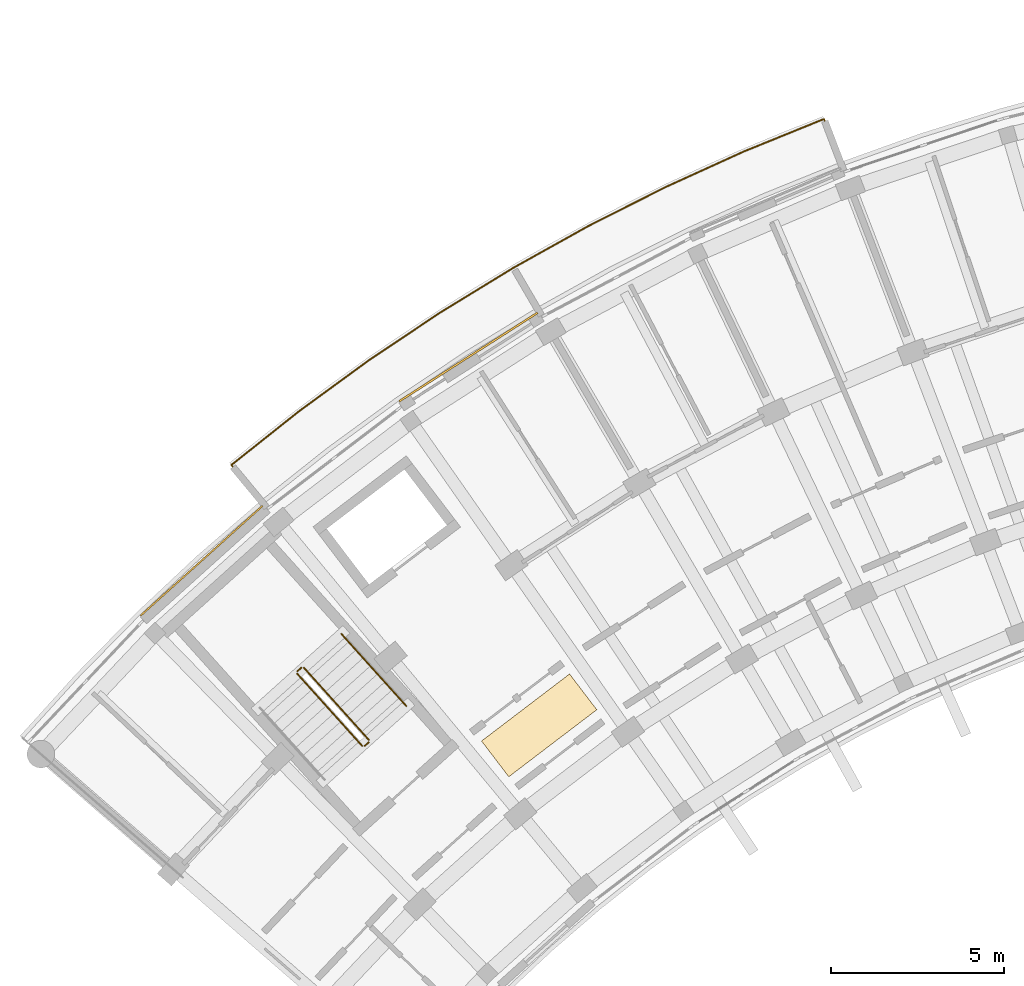
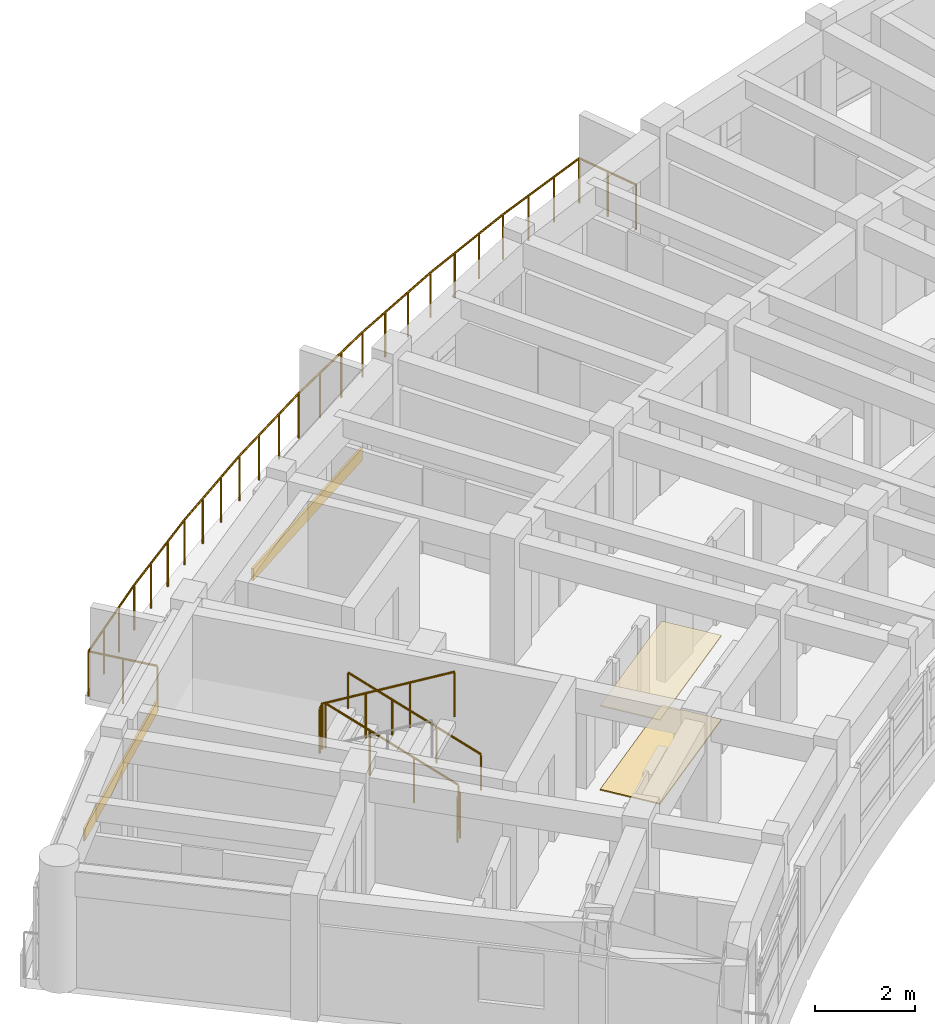
# One storey, part 42 of 54: 6 railings, 4 coverings.
"""IFC4 building model written with IfcOpenShell, lengths in metres."""

from ifc_helpers import new_model, si_unit, direction, frame, origin, origin_2d, place, context, subcontext, project, spatial, rectangle, circle, extrude, material, layer, layer_set, type_object, element, save


model = new_model("IFC4")

# Units and contexts
model_context = context("Model", 3, precision=1e-05, world=origin(), true_north=direction((0.0, 1.0)))
body_context = subcontext(model_context, "Body", "Model", "MODEL_VIEW")
ifc_project = project(units=[si_unit("LENGTHUNIT", "METRE"), si_unit("AREAUNIT", "SQUARE_METRE"), si_unit("VOLUMEUNIT", "CUBIC_METRE"), si_unit("PLANEANGLEUNIT", "RADIAN"), si_unit("MASSUNIT", "GRAM", prefix="KILO")], contexts=[model_context])

# Site, building, storey
site_placement = place(None, origin())
site = spatial("IfcSite", under=ifc_project, at=site_placement, CompositionType="ELEMENT")
building_placement = place(site_placement, origin())
building = spatial("IfcBuilding", under=site, at=building_placement, Name="Zimvara Arc Housing Community", CompositionType="ELEMENT")
storey_placement = place(building_placement, frame((0.0, 0.0, 20.5)))
storey = spatial("IfcBuildingStorey", under=building, at=storey_placement, Name="L06", CompositionType="ELEMENT", Elevation=20.5)

# Coverings
ifc_material_1 = material(Name="Pale-Gold Anodised Aluminium Cladding", Category="aluminium")
ifc_layer_1 = layer(ifc_material_1, 0.044921875)
ifc_layer_set_1 = layer_set([ifc_layer_1], Name="Pale-Gold Anodised Aluminium Cladding")
covering_type_1 = type_object("IfcCoveringType", Name="CLD-GOLD-02", PredefinedType="CLADDING", material=ifc_layer_set_1)
covering_1_placement = place(storey_placement, frame((5.2109375, 88.721435546875, 0.009765625), z_axis=(0.0, 0.0, 1.0), x_axis=(0.74337718344, 0.668872456557, 0.0)))
element("IfcCovering", 1, at=covering_1_placement, inside=storey, type_object=covering_type_1, Name="cld:blkA:L06:out:b1", PredefinedType="CLADDING", context=body_context, shape_type="SweptSolid", body=[
    extrude(rectangle(XDim=4.748779296875, YDim=0.044921875, at=origin_2d()), origin(), (0.0, 0.0, 1.0), 0.300048828125),
])
ifc_material_2 = material(Name="Pale-Gold Anodised Aluminium Cladding", Category="aluminium")
ifc_layer_2 = layer(ifc_material_2, 0.054931640625)
ifc_layer_set_2 = layer_set([ifc_layer_2], Name="Pale-Gold Anodised Aluminium Cladding")
covering_type_2 = type_object("IfcCoveringType", Name="CLD-GOLD-04", PredefinedType="CLADDING", material=ifc_layer_set_2)
covering_2_placement = place(storey_placement, frame((12.92724609375, 94.6123046875, 0.009765625), z_axis=(0.0, 0.0, 1.0), x_axis=(0.842265220048, 0.53906335351, 0.0)))
element("IfcCovering", 2, at=covering_2_placement, inside=storey, type_object=covering_type_2, Name="cld:blkA:L06:out:b3", PredefinedType="CLADDING", context=body_context, shape_type="SweptSolid", body=[
    extrude(rectangle(XDim=4.748779296875, YDim=0.054931640625, at=origin_2d()), origin(), (0.0, 0.0, 1.0), 0.300048828125),
])
ifc_material_3 = material(Name="Perforated Acoustic Ceiling Board")
ifc_layer_3 = layer(ifc_material_3, 0.02490234375)
ifc_layer_set_3 = layer_set([ifc_layer_3], Name="Perforated Acoustic Ceiling Board")
covering_type_3 = type_object("IfcCoveringType", Name="COV-CEIL-03", PredefinedType="CEILING", material=ifc_layer_set_3)
covering_3_placement = place(storey_placement, frame((14.974853515625, 83.959228515625, 2.054931640625), z_axis=(0.0, 0.0, 1.0), x_axis=(-0.605988400266, 0.795473480855, 0.0)))
element("IfcCovering", 3, at=covering_3_placement, inside=storey, type_object=covering_type_3, Name="ceil:blkA:L06", PredefinedType="CEILING", context=body_context, shape_type="SweptSolid", body=[
    extrude(rectangle(XDim=1.300048828125, YDim=3.199951171875, at=origin_2d()), origin(), (0.0, 0.0, 1.0), 0.02490234375),
])
ifc_material_4 = material(Name="Polished Coastal Sand Terrazzo")
ifc_layer_4 = layer(ifc_material_4, 0.028076171875)
ifc_layer_set_4 = layer_set([ifc_layer_4], Name="Polished Coastal Sand Terrazzo")
covering_type_4 = type_object("IfcCoveringType", Name="COV-FLOR-03", PredefinedType="FLOORING", material=ifc_layer_set_4)
covering_4_placement = place(storey_placement, frame((14.974853515625, 83.959228515625, 0.0), z_axis=(0.0, 0.0, 1.0), x_axis=(-0.605988400266, 0.795473480855, 0.0)))
element("IfcCovering", 4, at=covering_4_placement, inside=storey, type_object=covering_type_4, Name="flor:blkA:L06", PredefinedType="FLOORING", context=body_context, shape_type="SweptSolid", body=[
    extrude(rectangle(XDim=1.300048828125, YDim=3.199951171875, at=origin_2d()), origin(), (0.0, 0.0, 1.0), 0.028076171875),
])

# Railings
ifc_material_5 = material(Name="Anodised Aluminium AW-6063", Category="aluminium")
railing_type_1 = type_object("IfcRailingType", Name="RLG-BAL-1120", PredefinedType="BALUSTRADE", material=ifc_material_5)
railing_1_placement = place(storey_placement, frame((7.00927734375, 90.357666015625, 0.0)))
element("IfcRailing", 5, at=railing_1_placement, inside=storey, type_object=railing_type_1, Name="rlg:blkA:L06:bal_out_guard", PredefinedType="BALUSTRADE", context=body_context, shape_type="SweptSolid", body=[
    extrude(circle(Radius=0.02392578125, at=origin_2d()), frame((0.0, 0.0, 1.09619140625), z_axis=(-0.637992539284, 0.770042544161, 0.0), x_axis=(-0.770042544161, -0.637992539284, 0.0)), (0.0, 0.0, 1.0), 1.4697265625),
    extrude(circle(Radius=0.02392578125, at=origin_2d()), frame((-0.937744140625, 1.1318359375, 1.09619140625), z_axis=(0.782948045611, 0.622087098302, 0.0), x_axis=(-0.622087098302, 0.782948045611, 0.0)), (0.0, 0.0, 1.0), 2.4921875),
    extrude(circle(Radius=0.02392578125, at=origin_2d()), frame((1.013427734375, 2.68212890625, 1.09619140625), z_axis=(0.80765852685, 0.589650493095, 0.0), x_axis=(-0.589650493095, 0.80765852685, 0.0)), (0.0, 0.0, 1.0), 2.49169921875),
    extrude(circle(Radius=0.02392578125, at=origin_2d()), frame((3.02587890625, 4.1513671875, 1.09619140625), z_axis=(0.83106930865, 0.556168863044, 0.0), x_axis=(-0.556168863044, 0.83106930865, 0.0)), (0.0, 0.0, 1.0), 2.491943359375),
    extrude(circle(Radius=0.02392578125, at=origin_2d()), frame((5.096923828125, 5.537353515625, 1.09619140625), z_axis=(0.853131649433, 0.521695685947, 0.0), x_axis=(-0.521695685947, 0.853131649433, 0.0)), (0.0, 0.0, 1.0), 2.491943359375),
    extrude(circle(Radius=0.02392578125, at=origin_2d()), frame((7.222900390625, 6.83740234375, 1.09619140625), z_axis=(0.873653060707, 0.486549411178, 0.0), x_axis=(-0.486549411178, 0.873653060707, 0.0)), (0.0, 0.0, 1.0), 2.491943359375),
    extrude(circle(Radius=0.02392578125, at=origin_2d()), frame((9.39990234375, 8.0498046875, 1.09619140625), z_axis=(0.892834384016, 0.450385127107, 0.0), x_axis=(-0.450385127107, 0.892834384016, 0.0)), (0.0, 0.0, 1.0), 2.491943359375),
    extrude(circle(Radius=0.02392578125, at=origin_2d()), frame((11.624755859375, 9.172119140625, 1.09619140625), z_axis=(0.910443630497, 0.413633165604, 0.0), x_axis=(-0.413633165604, 0.910443630497, 0.0)), (0.0, 0.0, 1.0), 2.491943359375),
    extrude(circle(Radius=0.02392578125, at=origin_2d()), frame((13.8935546875, 10.202880859375, 1.09619140625), z_axis=(0.926613832847, 0.37601436778, 0.0), x_axis=(-0.37601436778, 0.926613832847, 0.0)), (0.0, 0.0, 1.0), 2.491943359375),
    extrude(circle(Radius=0.02392578125, at=origin_2d()), frame((16.20263671875, 11.139892578125, 1.09619140625), z_axis=(0.357086323574, -0.934071387805, 0.0), x_axis=(0.934071387805, 0.357086323574, 0.0)), (0.0, 0.0, 1.0), 1.469970703125),
    extrude(circle(Radius=0.02099609375, at=origin_2d()), origin(), (0.0, 0.0, 1.0), 1.072021484375),
    extrude(circle(Radius=0.02099609375, at=origin_2d()), frame((-0.46875, 0.56591796875, 0.0)), (0.0, 0.0, 1.0), 1.072021484375),
    extrude(circle(Radius=0.02099609375, at=origin_2d()), frame((-0.937744140625, 1.1318359375, 0.0)), (0.0, 0.0, 1.0), 1.072021484375),
    extrude(circle(Radius=0.02099609375, at=origin_2d()), frame((-0.287353515625, 1.648681640625, 0.0)), (0.0, 0.0, 1.0), 1.072021484375),
    extrude(circle(Radius=0.02099609375, at=origin_2d()), frame((0.363037109375, 2.165283203125, 0.0)), (0.0, 0.0, 1.0), 1.072021484375),
    extrude(circle(Radius=0.02099609375, at=origin_2d()), frame((1.013427734375, 2.68212890625, 0.0)), (0.0, 0.0, 1.0), 1.072021484375),
    extrude(circle(Radius=0.02099609375, at=origin_2d()), frame((1.684326171875, 3.171875, 0.0)), (0.0, 0.0, 1.0), 1.072021484375),
    extrude(circle(Radius=0.02099609375, at=origin_2d()), frame((2.35498046875, 3.66162109375, 0.0)), (0.0, 0.0, 1.0), 1.072021484375),
    extrude(circle(Radius=0.02099609375, at=origin_2d()), frame((3.02587890625, 4.1513671875, 0.0)), (0.0, 0.0, 1.0), 1.072021484375),
    extrude(circle(Radius=0.02099609375, at=origin_2d()), frame((3.71630859375, 4.61328125, 0.0)), (0.0, 0.0, 1.0), 1.072021484375),
    extrude(circle(Radius=0.02099609375, at=origin_2d()), frame((4.406494140625, 5.075439453125, 0.0)), (0.0, 0.0, 1.0), 1.072021484375),
    extrude(circle(Radius=0.02099609375, at=origin_2d()), frame((5.096923828125, 5.537353515625, 0.0)), (0.0, 0.0, 1.0), 1.072021484375),
    extrude(circle(Radius=0.02099609375, at=origin_2d()), frame((5.8056640625, 5.970703125, 0.0)), (0.0, 0.0, 1.0), 1.072021484375),
    extrude(circle(Radius=0.02099609375, at=origin_2d()), frame((6.51416015625, 6.404052734375, 0.0)), (0.0, 0.0, 1.0), 1.072021484375),
    extrude(circle(Radius=0.02099609375, at=origin_2d()), frame((7.222900390625, 6.83740234375, 0.0)), (0.0, 0.0, 1.0), 1.072021484375),
    extrude(circle(Radius=0.02099609375, at=origin_2d()), frame((7.948486328125, 7.241455078125, 0.0)), (0.0, 0.0, 1.0), 1.072021484375),
    extrude(circle(Radius=0.02099609375, at=origin_2d()), frame((8.67431640625, 7.645751953125, 0.0)), (0.0, 0.0, 1.0), 1.072021484375),
    extrude(circle(Radius=0.02099609375, at=origin_2d()), frame((9.39990234375, 8.0498046875, 0.0)), (0.0, 0.0, 1.0), 1.072021484375),
    extrude(circle(Radius=0.02099609375, at=origin_2d()), frame((10.1416015625, 8.423828125, 0.0)), (0.0, 0.0, 1.0), 1.072021484375),
    extrude(circle(Radius=0.02099609375, at=origin_2d()), frame((10.883056640625, 8.798095703125, 0.0)), (0.0, 0.0, 1.0), 1.072021484375),
    extrude(circle(Radius=0.02099609375, at=origin_2d()), frame((11.624755859375, 9.172119140625, 0.0)), (0.0, 0.0, 1.0), 1.072021484375),
    extrude(circle(Radius=0.02099609375, at=origin_2d()), frame((12.381103515625, 9.515625, 0.0)), (0.0, 0.0, 1.0), 1.072021484375),
    extrude(circle(Radius=0.02099609375, at=origin_2d()), frame((13.13720703125, 9.859375, 0.0)), (0.0, 0.0, 1.0), 1.072021484375),
    extrude(circle(Radius=0.02099609375, at=origin_2d()), frame((13.8935546875, 10.202880859375, 0.0)), (0.0, 0.0, 1.0), 1.072021484375),
    extrude(circle(Radius=0.02099609375, at=origin_2d()), frame((14.663330078125, 10.51513671875, 0.0)), (0.0, 0.0, 1.0), 1.072021484375),
    extrude(circle(Radius=0.02099609375, at=origin_2d()), frame((15.432861328125, 10.82763671875, 0.0)), (0.0, 0.0, 1.0), 1.072021484375),
    extrude(circle(Radius=0.02099609375, at=origin_2d()), frame((16.20263671875, 11.139892578125, 0.0)), (0.0, 0.0, 1.0), 1.072021484375),
    extrude(circle(Radius=0.02099609375, at=origin_2d()), frame((16.465087890625, 10.453369140625, 0.0)), (0.0, 0.0, 1.0), 1.072021484375),
    extrude(circle(Radius=0.02099609375, at=origin_2d()), frame((16.7275390625, 9.766845703125, 0.0)), (0.0, 0.0, 1.0), 1.072021484375),
])
railing_2_placement = place(storey_placement, frame((10.0478515625, 83.5400390625, 0.155029296875)))
element("IfcRailing", 6, at=railing_2_placement, inside=storey, type_object=railing_type_1, Name="L06 ST-A1 stair guard 1", PredefinedType="BALUSTRADE", context=body_context, shape_type="SweptSolid", body=[
    extrude(circle(Radius=0.02392578125, at=origin_2d()), frame((0.0, 0.0, 1.09619140625), z_axis=(-0.599018063854, 0.665748660595, 0.444922555162), x_axis=(-0.743380604779, -0.668868654101, 0.0)), (0.0, 0.0, 1.0), 3.135498046875),
    extrude(circle(Radius=0.02099609375, at=origin_2d()), origin(), (0.0, 0.0, 1.0), 1.072021484375),
    extrude(circle(Radius=0.02099609375, at=origin_2d()), frame((-0.6259765625, 0.69580078125, 0.465087890625)), (0.0, 0.0, 1.0), 1.072021484375),
    extrude(circle(Radius=0.02099609375, at=origin_2d()), frame((-1.252197265625, 1.3916015625, 0.929931640625)), (0.0, 0.0, 1.0), 1.072021484375),
    extrude(circle(Radius=0.02099609375, at=origin_2d()), frame((-1.878173828125, 2.08740234375, 1.39501953125)), (0.0, 0.0, 1.0), 1.072021484375),
])
railing_3_placement = place(storey_placement, frame((8.098876953125, 85.631103515625, 1.550048828125)))
element("IfcRailing", 7, at=railing_3_placement, inside=storey, type_object=railing_type_1, Name="L06 ST-A1 stair guard 2", PredefinedType="BALUSTRADE", context=body_context, shape_type="SweptSolid", body=[
    extrude(circle(Radius=0.02392578125, at=origin_2d()), frame((0.0, 0.0, 1.09619140625), z_axis=(-0.743521848755, -0.668711642207, 0.0), x_axis=(0.668711642207, -0.743521848755, 0.0)), (0.0, 0.0, 1.0), 0.159912109375),
    extrude(circle(Radius=0.02099609375, at=origin_2d()), origin(), (0.0, 0.0, 1.0), 1.072021484375),
    extrude(circle(Radius=0.02099609375, at=origin_2d()), frame((-0.118896484375, -0.10693359375, 0.0)), (0.0, 0.0, 1.0), 1.072021484375),
])
railing_4_placement = place(storey_placement, frame((7.976318359375, 85.453369140625, 1.705078125)))
element("IfcRailing", 8, at=railing_4_placement, inside=storey, type_object=railing_type_1, Name="L06 ST-A1 stair guard 3", PredefinedType="BALUSTRADE", context=body_context, shape_type="SweptSolid", body=[
    extrude(circle(Radius=0.02392578125, at=origin_2d()), frame((0.0, 0.0, 1.09619140625), z_axis=(0.599018063854, -0.665748660595, 0.444922555162), x_axis=(0.743380604779, 0.668868654101, 0.0)), (0.0, 0.0, 1.0), 3.135498046875),
    extrude(circle(Radius=0.02099609375, at=origin_2d()), origin(), (0.0, 0.0, 1.0), 1.072021484375),
    extrude(circle(Radius=0.02099609375, at=origin_2d()), frame((0.6259765625, -0.69580078125, 0.465087890625)), (0.0, 0.0, 1.0), 1.072021484375),
    extrude(circle(Radius=0.02099609375, at=origin_2d()), frame((1.252197265625, -1.3916015625, 0.929931640625)), (0.0, 0.0, 1.0), 1.072021484375),
    extrude(circle(Radius=0.02099609375, at=origin_2d()), frame((1.878173828125, -2.08740234375, 1.39501953125)), (0.0, 0.0, 1.0), 1.072021484375),
])
railing_5_placement = place(storey_placement, frame((10.0439453125, 83.469482421875, 0.0)))
element("IfcRailing", 9, at=railing_5_placement, inside=storey, type_object=railing_type_1, Name="L06 ST-A1 stair guard 4", PredefinedType="BALUSTRADE", context=body_context, shape_type="SweptSolid", body=[
    extrude(circle(Radius=0.02392578125, at=origin_2d()), frame((0.0, 0.0, 1.09619140625), z_axis=(-0.742763048172, -0.669554369913, 0.0), x_axis=(0.669554369913, -0.742763048172, 0.0)), (0.0, 0.0, 1.0), 0.16015625),
    extrude(circle(Radius=0.02099609375, at=origin_2d()), origin(), (0.0, 0.0, 1.0), 1.072021484375),
    extrude(circle(Radius=0.02099609375, at=origin_2d()), frame((-0.118896484375, -0.107177734375, 0.0)), (0.0, 0.0, 1.0), 1.072021484375),
])
ifc_material_6 = material(Name="Anodised Aluminium AW-6063", Category="aluminium")
railing_type_2 = type_object("IfcRailingType", Name="RLG-HND-900", PredefinedType="HANDRAIL", material=ifc_material_6)
railing_6_placement = place(storey_placement, frame((11.133056640625, 84.5166015625, 0.155029296875)))
element("IfcRailing", 10, at=railing_6_placement, inside=storey, type_object=railing_type_2, Name="L06 ST-A1 stair handrail 1", PredefinedType="HANDRAIL", context=body_context, shape_type="SweptSolid", body=[
    extrude(circle(Radius=0.02392578125, at=origin_2d()), frame((0.0, 0.0, 0.8759765625), z_axis=(-0.599018063854, 0.665748660595, 0.444922555162), x_axis=(-0.743380604779, -0.668868654101, 0.0)), (0.0, 0.0, 1.0), 3.135498046875),
    extrude(circle(Radius=0.02099609375, at=origin_2d()), origin(), (0.0, 0.0, 1.0), 0.851806640625),
    extrude(circle(Radius=0.02099609375, at=origin_2d()), frame((-0.6259765625, 0.69580078125, 0.465087890625)), (0.0, 0.0, 1.0), 0.851806640625),
    extrude(circle(Radius=0.02099609375, at=origin_2d()), frame((-1.252197265625, 1.3916015625, 0.929931640625)), (0.0, 0.0, 1.0), 0.851806640625),
    extrude(circle(Radius=0.02099609375, at=origin_2d()), frame((-1.878173828125, 2.08740234375, 1.39501953125)), (0.0, 0.0, 1.0), 0.851806640625),
])

save(model, "model.ifc")
